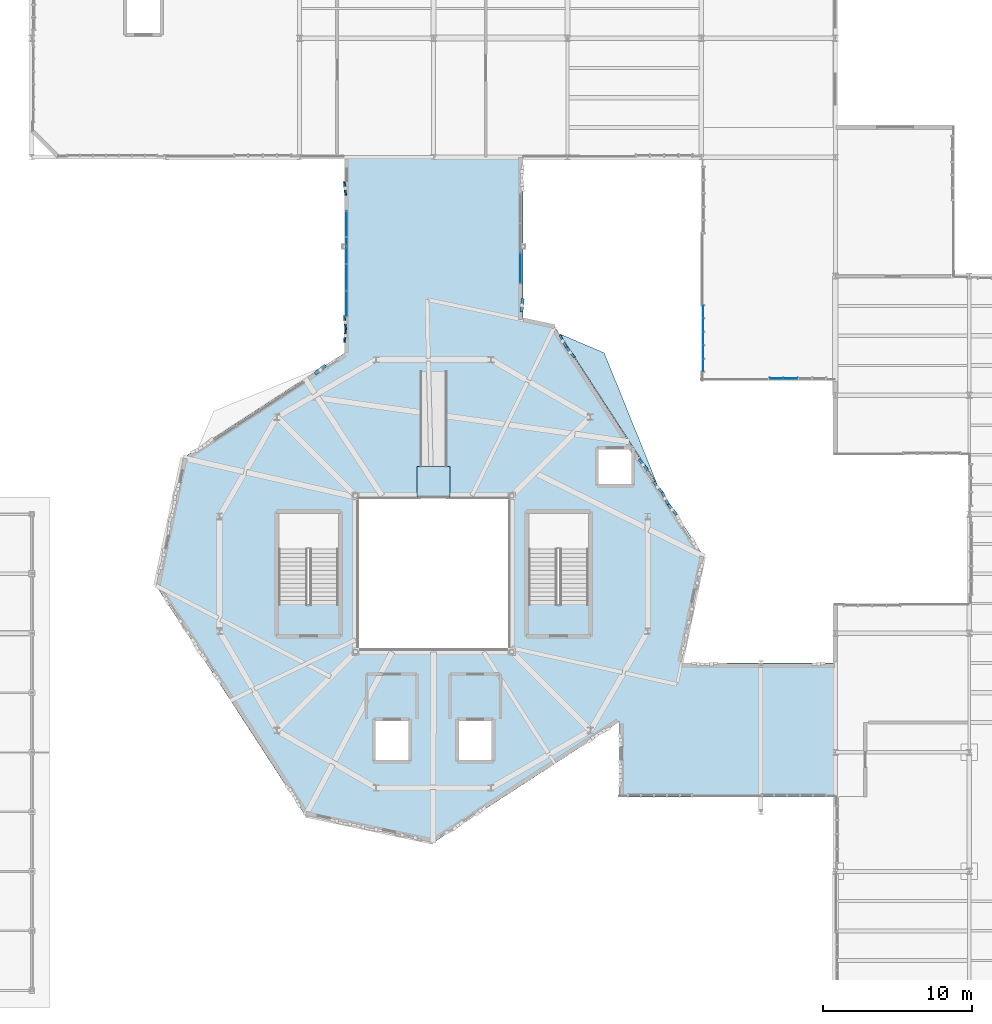
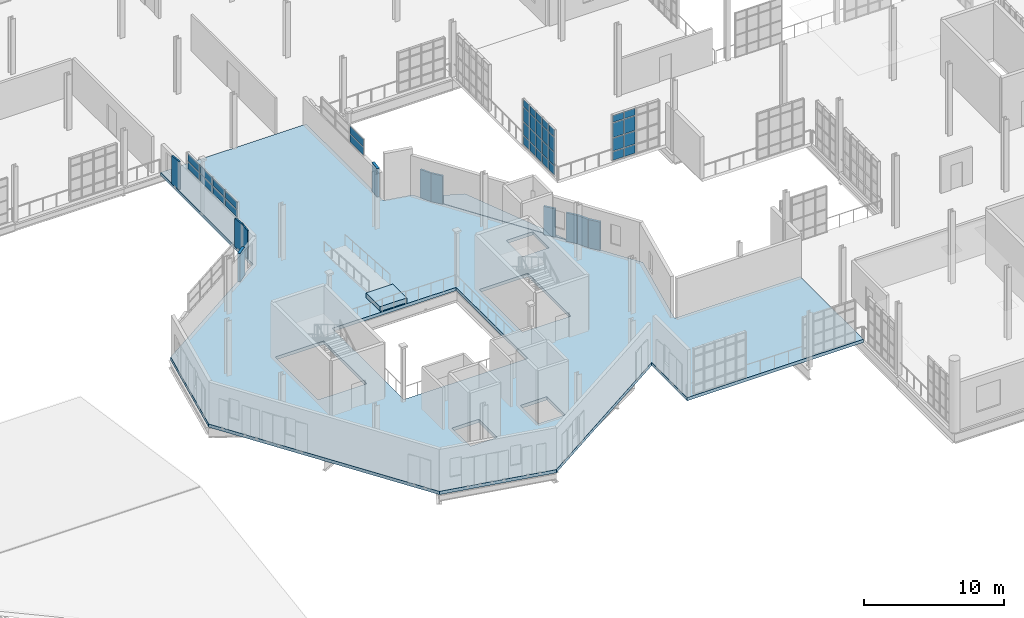
# One storey, part 92 of 118: 49 plates, 3 slabs, 4 elements without a shape of their own.
"""IFC4 building model written with IfcOpenShell, lengths in metres."""

import ifcopenshell
import ifcopenshell.guid

model = None  # the IFC model being written
_history = None  # IfcOwnerHistory: only IFC2X3 demands one
_inside = {}  # id of a spatial element -> (the spatial element, [elements in it])
_under = {}  # id of a project, library or spatial element -> (it, [spatial elements below it])
_declared = {}  # id of a project -> (the project, [libraries it declares])
_typed = {}  # id of a type object -> (the type object, [elements of that type])
_made_of = {}  # id of a material, layer set ... -> (it, [elements and type objects made of it])


def new_model(schema):
    """Start an empty IFC model of exactly this schema.

    Asked for "IFC4X3", IfcOpenShell would pick the latest addendum, in which some entities
    have other attributes; the version numbers below select the first issue.
    IFC2X3 requires an IfcOwnerHistory on every rooted entity: one is made here for all.
    """
    global model, _history
    if schema == "IFC4X3":
        model = ifcopenshell.file(schema_version=(4, 3, 0, 0))
    else:
        model = ifcopenshell.file(schema=schema)
    _inside.clear()
    _under.clear()
    _declared.clear()
    _typed.clear()
    _made_of.clear()
    _history = None
    if model.schema == "IFC2X3":
        org = make("IfcOrganization", Name="unknown")
        user = make(
            "IfcPersonAndOrganization",
            ThePerson=make("IfcPerson", FamilyName="unknown"),
            TheOrganization=org,
        )
        app = make(
            "IfcApplication",
            ApplicationDeveloper=org,
            Version="unknown",
            ApplicationFullName="unknown",
            ApplicationIdentifier="unknown",
        )
        _history = make(
            "IfcOwnerHistory",
            OwningUser=user,
            OwningApplication=app,
            ChangeAction="ADDED",
            CreationDate=0,
        )
    return model


def make(cls, **values):
    """One entity of the class cls with the attributes given. An attribute that is None is left unset."""
    return model.create_entity(
        cls, **{name: value for name, value in values.items() if value is not None}
    )


def rooted(cls, **values):
    """An entity with a GlobalId (a new one), such as an element, a storey or a relation."""
    return make(cls, GlobalId=ifcopenshell.guid.new(), OwnerHistory=_history, **values)


def si_unit(unit_type, name, prefix=None):
    """IfcSIUnit, for example si_unit("LENGTHUNIT", "METRE", prefix="MILLI")."""
    return make("IfcSIUnit", UnitType=unit_type, Prefix=prefix, Name=name)


def assignment(units):
    """IfcUnitAssignment: the units of a project."""
    return None if units is None else make("IfcUnitAssignment", Units=units)


def point(xyz):
    """IfcCartesianPoint."""
    return None if xyz is None else make("IfcCartesianPoint", Coordinates=xyz)


def direction(xyz):
    """IfcDirection."""
    return None if xyz is None else make("IfcDirection", DirectionRatios=xyz)


def frame(location, z_axis=None, x_axis=None):
    """IfcAxis2Placement3D, a coordinate frame: its origin and axes. An axis left out is left unset."""
    return make(
        "IfcAxis2Placement3D",
        Location=point(location),
        Axis=direction(z_axis),
        RefDirection=direction(x_axis),
    )


def frame_2d(location, x_axis=None):
    """IfcAxis2Placement2D, a coordinate frame in the plane: its origin and x axis."""
    return make(
        "IfcAxis2Placement2D", Location=point(location), RefDirection=direction(x_axis)
    )


def origin():
    """The frame at (0, 0, 0) with its axes left unset."""
    return frame((0.0, 0.0, 0.0))


def origin_2d():
    """The frame at (0, 0) in the plane with its x axis left unset."""
    return frame_2d((0.0, 0.0))


def place(relative_to, where):
    """IfcLocalPlacement: puts the frame where relative to a parent placement (None: the world)."""
    return make(
        "IfcLocalPlacement", PlacementRelTo=relative_to, RelativePlacement=where
    )


def context(
    kind, dimensions, precision=None, world=None, true_north=None, identifier=None
):
    """IfcGeometricRepresentationContext, for example the 3D "Model" context."""
    return make(
        "IfcGeometricRepresentationContext",
        ContextIdentifier=identifier,
        ContextType=kind,
        CoordinateSpaceDimension=dimensions,
        Precision=precision,
        WorldCoordinateSystem=world,
        TrueNorth=true_north,
    )


def subcontext(parent, identifier, kind, view, scale=None):
    """IfcGeometricRepresentationSubContext, for example "Body" below "Model"."""
    return make(
        "IfcGeometricRepresentationSubContext",
        ContextIdentifier=identifier,
        ContextType=kind,
        ParentContext=parent,
        TargetScale=scale,
        TargetView=view,
    )


def project(units=None, contexts=None):
    """IfcProject with its units and contexts."""
    return rooted(
        "IfcProject",
        Name="project",
        RepresentationContexts=contexts,
        UnitsInContext=assignment(units),
    )


def spatial(cls, under=None, at=None, **own):
    """A site, building, storey or space (cls), placed at a placement, below another one or the project."""
    s = rooted(cls, ObjectPlacement=at, **own)
    if under is not None:
        _under.setdefault(under.id(), (under, []))[1].append(s)
    return s


def polyline(points):
    """IfcPolyline through the points."""
    return make("IfcPolyline", Points=[point(p) for p in points])


def profile(cls, at=None, kind="AREA", **sizes):
    """A parametric profile (cls). Its sizes go by their IFC names, for example OverallWidth=200.0."""
    return make(cls, ProfileType=kind, Position=at, **sizes)


def rectangle(**sizes):
    """IfcRectangleProfileDef."""
    return profile("IfcRectangleProfileDef", **sizes)


def outline(outer, holes=None, kind="AREA"):
    """IfcArbitraryClosedProfileDef: a profile drawn as a closed curve; with holes, ...WithVoids."""
    if holes is None:
        return make("IfcArbitraryClosedProfileDef", ProfileType=kind, OuterCurve=outer)
    return make(
        "IfcArbitraryProfileDefWithVoids",
        ProfileType=kind,
        OuterCurve=outer,
        InnerCurves=holes,
    )


def extrude(swept, where, along, depth):
    """IfcExtrudedAreaSolid: the profile swept, set in the frame where, extruded along a direction by depth."""
    return make(
        "IfcExtrudedAreaSolid",
        SweptArea=swept,
        Position=where,
        ExtrudedDirection=direction(along),
        Depth=depth,
    )


def shape(context_of_items, identifier, shape_type, items):
    """IfcShapeRepresentation: the items that make up one representation, for example the "Body"."""
    return make(
        "IfcShapeRepresentation",
        ContextOfItems=context_of_items,
        RepresentationIdentifier=identifier,
        RepresentationType=shape_type,
        Items=items,
    )


def material(Name=None, Category=None):
    """IfcMaterial."""
    return make("IfcMaterial", Name=Name, Category=Category)


def layer(
    of_material, thickness, ventilated=None, Name=None, Category=None, Priority=None
):
    """IfcMaterialLayer: one layer of a wall or slab, of a material (None: an air gap)."""
    return make(
        "IfcMaterialLayer",
        Material=of_material,
        LayerThickness=thickness,
        IsVentilated=ventilated,
        Name=Name,
        Category=Category,
        Priority=Priority,
    )


def layer_set(layers, Name=None):
    """IfcMaterialLayerSet."""
    return make("IfcMaterialLayerSet", MaterialLayers=layers, LayerSetName=Name)


def made_of(thing, what):
    """Note that an element or type object is made of a material, layer set ...; save() writes the relation."""
    if what is not None:
        _made_of.setdefault(what.id(), (what, []))[1].append(thing)
    return thing


def type_object(cls, material=None, **own):
    """A type object (cls), such as IfcWallType, which elements share."""
    return made_of(rooted(cls, **own), material)


def element(
    cls,
    number,
    at=None,
    inside=None,
    cuts=None,
    type_object=None,
    material=None,
    context=None,
    identifier="Body",
    shape_type=None,
    held_by="IfcProductDefinitionShape",
    body=None,
    shapes=None,
    **own,
):
    """One element of the class cls, such as IfcWall. Its Tag is "e" and its number.

    at: its placement. inside: the storey or other place that contains it. cuts: it is an
    opening in that element (IfcRelVoidsElement). A single representation is given by context,
    identifier, shape_type and body (its items); several are given by shapes. held_by: the class
    of the entity that holds the representations. save() writes the other relations.
    """
    e = rooted(cls, Tag="e%d" % number, ObjectPlacement=at, **own)
    if body is not None:
        shapes = [shape(context, identifier, shape_type, body)]
    if shapes is not None:
        e.Representation = make(held_by, Representations=shapes)
    if inside is not None:
        _inside.setdefault(inside.id(), (inside, []))[1].append(e)
    if cuts is not None:
        rooted(
            "IfcRelVoidsElement", RelatingBuildingElement=cuts, RelatedOpeningElement=e
        )
    if type_object is not None:
        _typed.setdefault(type_object.id(), (type_object, []))[1].append(e)
    return made_of(e, material)


def aggregate(whole, parts):
    """IfcRelAggregates: a whole, such as a stair, and the parts it consists of."""
    return rooted("IfcRelAggregates", RelatingObject=whole, RelatedObjects=parts)


def save(model, path):
    """Write the relations noted so far, then the file.

    IfcRelAggregates (storeys below a building ...), IfcRelContainedInSpatialStructure (elements
    in a storey), IfcRelDefinesByType, IfcRelAssociatesMaterial and IfcRelDeclares: one each for
    every whole, place, type object, material and project.
    """
    for whole, parts in _under.values():
        aggregate(whole, parts)
    for where, things in _inside.values():
        rooted(
            "IfcRelContainedInSpatialStructure",
            RelatedElements=things,
            RelatingStructure=where,
        )
    for kind, things in _typed.values():
        rooted("IfcRelDefinesByType", RelatedObjects=things, RelatingType=kind)
    for what, things in _made_of.values():
        rooted("IfcRelAssociatesMaterial", RelatedObjects=things, RelatingMaterial=what)
    for by, libraries in _declared.values():
        rooted("IfcRelDeclares", RelatingContext=by, RelatedDefinitions=libraries)
    model.write(path)


model = new_model("IFC4")

# Units and contexts
model_context = context("Model", 3, precision=1e-05, world=origin(), true_north=direction((0.0, 1.0)))
body_context = subcontext(model_context, "Body", "Model", "MODEL_VIEW")
ifc_project = project(units=[si_unit("LENGTHUNIT", "METRE"), si_unit("AREAUNIT", "SQUARE_METRE"), si_unit("VOLUMEUNIT", "CUBIC_METRE"), si_unit("PLANEANGLEUNIT", "RADIAN"), si_unit("MASSUNIT", "GRAM", prefix="KILO"), si_unit("THERMODYNAMICTEMPERATUREUNIT", "KELVIN"), si_unit("POWERUNIT", "WATT")], contexts=[model_context])

# Site, building, storey
site_placement = place(None, origin())
site = spatial("IfcSite", under=ifc_project, at=site_placement, CompositionType="ELEMENT")
building_placement = place(site_placement, origin())
building = spatial("IfcBuilding", under=site, at=building_placement, Name="Zelmaris Science Centre", CompositionType="ELEMENT")
storey_placement = place(building_placement, frame((0.0, 0.0, 15.60009765625)))
storey = spatial("IfcBuildingStorey", under=building, at=storey_placement, Name="L03", CompositionType="ELEMENT", Elevation=15.60009765625)

# Curtain wall, plates
ifc_material_1 = material(Name="Anodised architectural aluminium 6063-T6", Category="aluminium")
ifc_layer_1 = layer(ifc_material_1, 0.18994140625, Name="Anodised architectural aluminium 6063-T6")
ifc_layer_set_1 = layer_set([ifc_layer_1], Name="Anodised architectural aluminium 6063-T6")
curtain_wall_type_1 = type_object("IfcCurtainWallType", Name="Curtain Wall CW-01", PredefinedType="USERDEFINED", material=ifc_layer_set_1)
curtain_wall_1_placement = place(storey_placement, origin())
curtain_wall_1 = element("IfcCurtainWall", 1, at=curtain_wall_1_placement, inside=storey, type_object=curtain_wall_type_1, Name="L03 Clerestory curtain wall 317", ObjectType="GLAZED CURTAIN WALL", PredefinedType="USERDEFINED")
ifc_material_2 = material(Name="Laminated hurricane-rated low-E insulated glazing", Category="glass")
ifc_layer_2 = layer(ifc_material_2, 0.031982421875, Name="Laminated hurricane-rated low-E insulated glazing")
ifc_layer_set_2 = layer_set([ifc_layer_2], Name="Laminated hurricane-rated low-E insulated glazing")
plate_type_1 = type_object("IfcPlateType", Name="Curtain Glazing Panel CWP-1 32mm", PredefinedType="CURTAIN_PANEL", material=ifc_layer_set_2)
plate_1_placement = place(storey_placement, frame((75.1552734375, 54.156982421875, 2.491943359375), z_axis=(0.0, 0.0, 1.0), x_axis=(9.216106e-06, 0.999999999958, 0.0)))
plate_1 = element("IfcPlate", 2, at=plate_1_placement, type_object=plate_type_1, Name="CW-01 panel 1.1", PredefinedType="CURTAIN_PANEL", context=body_context, shape_type="SweptSolid", body=[
    extrude(rectangle(XDim=1.69189453125, YDim=0.031982421875, at=origin_2d()), origin(), (0.0, 0.0, 1.0), 0.62744140625),
])
plate_2_placement = place(storey_placement, frame((75.1552734375, 54.156982421875, 3.19140625), z_axis=(0.0, 0.0, 1.0), x_axis=(9.216106e-06, 0.999999999958, 0.0)))
plate_2 = element("IfcPlate", 3, at=plate_2_placement, type_object=plate_type_1, Name="CW-01 panel 1.2", PredefinedType="CURTAIN_PANEL", context=body_context, shape_type="SweptSolid", body=[
    extrude(rectangle(XDim=1.69189453125, YDim=0.031982421875, at=origin_2d()), origin(), (0.0, 0.0, 1.0), 0.62744140625),
])
plate_3_placement = place(storey_placement, frame((75.1552734375, 55.939208984375, 2.491943359375), z_axis=(0.0, 0.0, 1.0), x_axis=(9.216106e-06, 0.999999999958, 0.0)))
plate_3 = element("IfcPlate", 4, at=plate_3_placement, type_object=plate_type_1, Name="CW-01 panel 2.1", PredefinedType="CURTAIN_PANEL", context=body_context, shape_type="SweptSolid", body=[
    extrude(rectangle(XDim=1.72802734375, YDim=0.031982421875, at=origin_2d()), origin(), (0.0, 0.0, 1.0), 0.62744140625),
])
plate_4_placement = place(storey_placement, frame((75.1552734375, 55.939208984375, 3.19140625), z_axis=(0.0, 0.0, 1.0), x_axis=(9.216106e-06, 0.999999999958, 0.0)))
plate_4 = element("IfcPlate", 5, at=plate_4_placement, type_object=plate_type_1, Name="CW-01 panel 2.2", PredefinedType="CURTAIN_PANEL", context=body_context, shape_type="SweptSolid", body=[
    extrude(rectangle(XDim=1.72802734375, YDim=0.031982421875, at=origin_2d()), origin(), (0.0, 0.0, 1.0), 0.62744140625),
])
plate_5_placement = place(storey_placement, frame((75.1552734375, 57.739013671875, 2.491943359375), z_axis=(0.0, 0.0, 1.0), x_axis=(9.216106e-06, 0.999999999958, 0.0)))
plate_5 = element("IfcPlate", 6, at=plate_5_placement, type_object=plate_type_1, Name="CW-01 panel 3.1", PredefinedType="CURTAIN_PANEL", context=body_context, shape_type="SweptSolid", body=[
    extrude(rectangle(XDim=1.72802734375, YDim=0.031982421875, at=origin_2d()), origin(), (0.0, 0.0, 1.0), 0.62744140625),
])
plate_6_placement = place(storey_placement, frame((75.1552734375, 57.739013671875, 3.19140625), z_axis=(0.0, 0.0, 1.0), x_axis=(9.216106e-06, 0.999999999958, 0.0)))
plate_6 = element("IfcPlate", 7, at=plate_6_placement, type_object=plate_type_1, Name="CW-01 panel 3.2", PredefinedType="CURTAIN_PANEL", context=body_context, shape_type="SweptSolid", body=[
    extrude(rectangle(XDim=1.72802734375, YDim=0.031982421875, at=origin_2d()), origin(), (0.0, 0.0, 1.0), 0.62744140625),
])
plate_7_placement = place(storey_placement, frame((75.1552734375, 59.52099609375, 2.491943359375), z_axis=(0.0, 0.0, 1.0), x_axis=(9.216106e-06, 0.999999999958, 0.0)))
plate_7 = element("IfcPlate", 8, at=plate_7_placement, type_object=plate_type_1, Name="CW-01 panel 4.1", PredefinedType="CURTAIN_PANEL", context=body_context, shape_type="SweptSolid", body=[
    extrude(rectangle(XDim=1.69189453125, YDim=0.031982421875, at=origin_2d()), origin(), (0.0, 0.0, 1.0), 0.62744140625),
])
plate_8_placement = place(storey_placement, frame((75.1552734375, 59.52099609375, 3.19140625), z_axis=(0.0, 0.0, 1.0), x_axis=(9.216106e-06, 0.999999999958, 0.0)))
plate_8 = element("IfcPlate", 9, at=plate_8_placement, type_object=plate_type_1, Name="CW-01 panel 4.2", PredefinedType="CURTAIN_PANEL", context=body_context, shape_type="SweptSolid", body=[
    extrude(rectangle(XDim=1.69189453125, YDim=0.031982421875, at=origin_2d()), origin(), (0.0, 0.0, 1.0), 0.62744140625),
])
aggregate(curtain_wall_1, [plate_1, plate_2, plate_3, plate_4, plate_5, plate_6, plate_7, plate_8])

curtain_wall_2_placement = place(storey_placement, origin())
curtain_wall_2 = element("IfcCurtainWall", 10, at=curtain_wall_2_placement, inside=storey, type_object=curtain_wall_type_1, Name="L03 Unitised curtain wall 329", ObjectType="GLAZED CURTAIN WALL", PredefinedType="USERDEFINED")
plate_9_placement = place(storey_placement, frame((104.9931640625, 49.118408203125, 0.05712890625), z_axis=(0.0, 0.0, 1.0), x_axis=(-0.999999959785, 0.00028360017, 0.0)))
plate_9 = element("IfcPlate", 11, at=plate_9_placement, type_object=plate_type_1, Name="CW-01 panel 3.1", PredefinedType="CURTAIN_PANEL", context=body_context, shape_type="SweptSolid", body=[
    extrude(rectangle(XDim=0.897705078125, YDim=0.031982421875, at=origin_2d()), origin(), (0.0, 0.0, 1.0), 0.741943359375),
])
plate_10_placement = place(storey_placement, frame((104.9931640625, 49.118408203125, 0.870849609375), z_axis=(0.0, 0.0, 1.0), x_axis=(-0.999999959785, 0.00028360017, 0.0)))
plate_10 = element("IfcPlate", 12, at=plate_10_placement, type_object=plate_type_1, Name="CW-01 panel 3.2", PredefinedType="CURTAIN_PANEL", context=body_context, shape_type="SweptSolid", body=[
    extrude(rectangle(XDim=0.897705078125, YDim=0.031982421875, at=origin_2d()), origin(), (0.0, 0.0, 1.0), 1.1005859375),
])
plate_11_placement = place(storey_placement, frame((104.9931640625, 49.118408203125, 2.04345703125), z_axis=(0.0, 0.0, 1.0), x_axis=(-0.999999959785, 0.00028360017, 0.0)))
plate_11 = element("IfcPlate", 13, at=plate_11_placement, type_object=plate_type_1, Name="CW-01 panel 3.3", PredefinedType="CURTAIN_PANEL", context=body_context, shape_type="SweptSolid", body=[
    extrude(rectangle(XDim=0.897705078125, YDim=0.031982421875, at=origin_2d()), origin(), (0.0, 0.0, 1.0), 1.25048828125),
])
plate_12_placement = place(storey_placement, frame((104.9931640625, 49.118408203125, 3.36572265625), z_axis=(0.0, 0.0, 1.0), x_axis=(-0.999999959785, 0.00028360017, 0.0)))
plate_12 = element("IfcPlate", 14, at=plate_12_placement, type_object=plate_type_1, Name="CW-01 panel 3.4", PredefinedType="CURTAIN_PANEL", context=body_context, shape_type="SweptSolid", body=[
    extrude(rectangle(XDim=0.897705078125, YDim=0.031982421875, at=origin_2d()), origin(), (0.0, 0.0, 1.0), 0.592041015625),
])
plate_13_placement = place(storey_placement, frame((104.04150390625, 49.11865234375, 0.05712890625), z_axis=(0.0, 0.0, 1.0), x_axis=(-0.999999959785, 0.00028360017, 0.0)))
plate_13 = element("IfcPlate", 15, at=plate_13_placement, type_object=plate_type_1, Name="CW-01 panel 4.1", PredefinedType="CURTAIN_PANEL", context=body_context, shape_type="SweptSolid", body=[
    extrude(rectangle(XDim=0.861572265625, YDim=0.031982421875, at=origin_2d()), origin(), (0.0, 0.0, 1.0), 0.741943359375),
])
plate_14_placement = place(storey_placement, frame((104.04150390625, 49.11865234375, 0.870849609375), z_axis=(0.0, 0.0, 1.0), x_axis=(-0.999999959785, 0.00028360017, 0.0)))
plate_14 = element("IfcPlate", 16, at=plate_14_placement, type_object=plate_type_1, Name="CW-01 panel 4.2", PredefinedType="CURTAIN_PANEL", context=body_context, shape_type="SweptSolid", body=[
    extrude(rectangle(XDim=0.861572265625, YDim=0.031982421875, at=origin_2d()), origin(), (0.0, 0.0, 1.0), 1.1005859375),
])
plate_15_placement = place(storey_placement, frame((104.04150390625, 49.11865234375, 2.04345703125), z_axis=(0.0, 0.0, 1.0), x_axis=(-0.999999959785, 0.00028360017, 0.0)))
plate_15 = element("IfcPlate", 17, at=plate_15_placement, type_object=plate_type_1, Name="CW-01 panel 4.3", PredefinedType="CURTAIN_PANEL", context=body_context, shape_type="SweptSolid", body=[
    extrude(rectangle(XDim=0.861572265625, YDim=0.031982421875, at=origin_2d()), origin(), (0.0, 0.0, 1.0), 1.25048828125),
])
plate_16_placement = place(storey_placement, frame((104.04150390625, 49.11865234375, 3.36572265625), z_axis=(0.0, 0.0, 1.0), x_axis=(-0.999999959785, 0.00028360017, 0.0)))
plate_16 = element("IfcPlate", 18, at=plate_16_placement, type_object=plate_type_1, Name="CW-01 panel 4.4", PredefinedType="CURTAIN_PANEL", context=body_context, shape_type="SweptSolid", body=[
    extrude(rectangle(XDim=0.861572265625, YDim=0.031982421875, at=origin_2d()), origin(), (0.0, 0.0, 1.0), 0.592041015625),
])
aggregate(curtain_wall_2, [plate_9, plate_10, plate_11, plate_12, plate_13, plate_14, plate_15, plate_16])

ifc_layer_3 = layer(ifc_material_1, 0.2099609375, Name="Anodised architectural aluminium 6063-T6")
ifc_layer_set_3 = layer_set([ifc_layer_3], Name="Anodised architectural aluminium 6063-T6")
curtain_wall_type_2 = type_object("IfcCurtainWallType", Name="Curtain Wall CW-03", PredefinedType="USERDEFINED", material=ifc_layer_set_3)
curtain_wall_3_placement = place(storey_placement, origin())
curtain_wall_3 = element("IfcCurtainWall", 19, at=curtain_wall_3_placement, inside=storey, type_object=curtain_wall_type_2, Name="L03 Unitised curtain wall 331", ObjectType="GLAZED CURTAIN WALL", PredefinedType="USERDEFINED")
ifc_layer_4 = layer(ifc_material_2, 0.02587890625, Name="Laminated hurricane-rated low-E insulated glazing")
ifc_layer_set_4 = layer_set([ifc_layer_4], Name="Laminated hurricane-rated low-E insulated glazing")
plate_type_2 = type_object("IfcPlateType", Name="Curtain Glazing Panel CWP-3 26mm", PredefinedType="CURTAIN_PANEL", material=ifc_layer_set_4)
plate_17_placement = place(storey_placement, frame((99.1201171875, 50.00830078125, 0.0419921875), z_axis=(0.0, 0.0, 1.0), x_axis=(-2.202691e-05, 0.999999999757, 0.0)))
plate_17 = element("IfcPlate", 20, at=plate_17_placement, type_object=plate_type_2, Name="CW-03 panel 1.1", PredefinedType="CURTAIN_PANEL", context=body_context, shape_type="SweptSolid", body=[
    extrude(rectangle(XDim=0.822509765625, YDim=0.02587890625, at=origin_2d()), origin(), (0.0, 0.0, 1.0), 0.764404296875),
])
plate_18_placement = place(storey_placement, frame((99.1201171875, 50.00830078125, 0.86328125), z_axis=(0.0, 0.0, 1.0), x_axis=(-2.202691e-05, 0.999999999757, 0.0)))
plate_18 = element("IfcPlate", 21, at=plate_18_placement, type_object=plate_type_2, Name="CW-03 panel 1.2", PredefinedType="CURTAIN_PANEL", context=body_context, shape_type="SweptSolid", body=[
    extrude(rectangle(XDim=0.822509765625, YDim=0.02587890625, at=origin_2d()), origin(), (0.0, 0.0, 1.0), 1.115478515625),
])
plate_19_placement = place(storey_placement, frame((99.1201171875, 50.00830078125, 2.0361328125), z_axis=(0.0, 0.0, 1.0), x_axis=(-2.202691e-05, 0.999999999757, 0.0)))
plate_19 = element("IfcPlate", 22, at=plate_19_placement, type_object=plate_type_2, Name="CW-03 panel 1.3", PredefinedType="CURTAIN_PANEL", context=body_context, shape_type="SweptSolid", body=[
    extrude(rectangle(XDim=0.822509765625, YDim=0.02587890625, at=origin_2d()), origin(), (0.0, 0.0, 1.0), 1.265380859375),
])
plate_20_placement = place(storey_placement, frame((99.1201171875, 50.00830078125, 3.3583984375), z_axis=(0.0, 0.0, 1.0), x_axis=(-2.202691e-05, 0.999999999757, 0.0)))
plate_20 = element("IfcPlate", 23, at=plate_20_placement, type_object=plate_type_2, Name="CW-03 panel 1.4", PredefinedType="CURTAIN_PANEL", context=body_context, shape_type="SweptSolid", body=[
    extrude(rectangle(XDim=0.822509765625, YDim=0.02587890625, at=origin_2d()), origin(), (0.0, 0.0, 1.0), 0.614501953125),
])
plate_21_placement = place(storey_placement, frame((99.1201171875, 50.902099609375, 0.0419921875), z_axis=(0.0, 0.0, 1.0), x_axis=(-2.202691e-05, 0.999999999757, 0.0)))
plate_21 = element("IfcPlate", 24, at=plate_21_placement, type_object=plate_type_2, Name="CW-03 panel 2.1", PredefinedType="CURTAIN_PANEL", context=body_context, shape_type="SweptSolid", body=[
    extrude(rectangle(XDim=0.85107421875, YDim=0.02587890625, at=origin_2d()), origin(), (0.0, 0.0, 1.0), 0.764404296875),
])
plate_22_placement = place(storey_placement, frame((99.1201171875, 50.902099609375, 0.86328125), z_axis=(0.0, 0.0, 1.0), x_axis=(-2.202691e-05, 0.999999999757, 0.0)))
plate_22 = element("IfcPlate", 25, at=plate_22_placement, type_object=plate_type_2, Name="CW-03 panel 2.2", PredefinedType="CURTAIN_PANEL", context=body_context, shape_type="SweptSolid", body=[
    extrude(rectangle(XDim=0.85107421875, YDim=0.02587890625, at=origin_2d()), origin(), (0.0, 0.0, 1.0), 1.115478515625),
])
plate_23_placement = place(storey_placement, frame((99.1201171875, 50.902099609375, 2.0361328125), z_axis=(0.0, 0.0, 1.0), x_axis=(-2.202691e-05, 0.999999999757, 0.0)))
plate_23 = element("IfcPlate", 26, at=plate_23_placement, type_object=plate_type_2, Name="CW-03 panel 2.3", PredefinedType="CURTAIN_PANEL", context=body_context, shape_type="SweptSolid", body=[
    extrude(rectangle(XDim=0.85107421875, YDim=0.02587890625, at=origin_2d()), origin(), (0.0, 0.0, 1.0), 1.265380859375),
])
plate_24_placement = place(storey_placement, frame((99.1201171875, 50.902099609375, 3.3583984375), z_axis=(0.0, 0.0, 1.0), x_axis=(-2.202691e-05, 0.999999999757, 0.0)))
plate_24 = element("IfcPlate", 27, at=plate_24_placement, type_object=plate_type_2, Name="CW-03 panel 2.4", PredefinedType="CURTAIN_PANEL", context=body_context, shape_type="SweptSolid", body=[
    extrude(rectangle(XDim=0.85107421875, YDim=0.02587890625, at=origin_2d()), origin(), (0.0, 0.0, 1.0), 0.614501953125),
])
plate_25_placement = place(storey_placement, frame((99.1201171875, 51.81005859375, 0.0419921875), z_axis=(0.0, 0.0, 1.0), x_axis=(-2.202691e-05, 0.999999999757, 0.0)))
plate_25 = element("IfcPlate", 28, at=plate_25_placement, type_object=plate_type_2, Name="CW-03 panel 3.1", PredefinedType="CURTAIN_PANEL", context=body_context, shape_type="SweptSolid", body=[
    extrude(rectangle(XDim=0.85107421875, YDim=0.02587890625, at=origin_2d()), origin(), (0.0, 0.0, 1.0), 0.764404296875),
])
plate_26_placement = place(storey_placement, frame((99.1201171875, 51.81005859375, 0.86328125), z_axis=(0.0, 0.0, 1.0), x_axis=(-2.202691e-05, 0.999999999757, 0.0)))
plate_26 = element("IfcPlate", 29, at=plate_26_placement, type_object=plate_type_2, Name="CW-03 panel 3.2", PredefinedType="CURTAIN_PANEL", context=body_context, shape_type="SweptSolid", body=[
    extrude(rectangle(XDim=0.85107421875, YDim=0.02587890625, at=origin_2d()), origin(), (0.0, 0.0, 1.0), 1.115478515625),
])
plate_27_placement = place(storey_placement, frame((99.1201171875, 51.81005859375, 2.0361328125), z_axis=(0.0, 0.0, 1.0), x_axis=(-2.202691e-05, 0.999999999757, 0.0)))
plate_27 = element("IfcPlate", 30, at=plate_27_placement, type_object=plate_type_2, Name="CW-03 panel 3.3", PredefinedType="CURTAIN_PANEL", context=body_context, shape_type="SweptSolid", body=[
    extrude(rectangle(XDim=0.85107421875, YDim=0.02587890625, at=origin_2d()), origin(), (0.0, 0.0, 1.0), 1.265380859375),
])
plate_28_placement = place(storey_placement, frame((99.1201171875, 51.81005859375, 3.3583984375), z_axis=(0.0, 0.0, 1.0), x_axis=(-2.202691e-05, 0.999999999757, 0.0)))
plate_28 = element("IfcPlate", 31, at=plate_28_placement, type_object=plate_type_2, Name="CW-03 panel 3.4", PredefinedType="CURTAIN_PANEL", context=body_context, shape_type="SweptSolid", body=[
    extrude(rectangle(XDim=0.85107421875, YDim=0.02587890625, at=origin_2d()), origin(), (0.0, 0.0, 1.0), 0.614501953125),
])
plate_29_placement = place(storey_placement, frame((99.1201171875, 52.718017578125, 0.0419921875), z_axis=(0.0, 0.0, 1.0), x_axis=(-2.202691e-05, 0.999999999757, 0.0)))
plate_29 = element("IfcPlate", 32, at=plate_29_placement, type_object=plate_type_2, Name="CW-03 panel 4.1", PredefinedType="CURTAIN_PANEL", context=body_context, shape_type="SweptSolid", body=[
    extrude(rectangle(XDim=0.85107421875, YDim=0.02587890625, at=origin_2d()), origin(), (0.0, 0.0, 1.0), 0.764404296875),
])
plate_30_placement = place(storey_placement, frame((99.1201171875, 52.718017578125, 0.86328125), z_axis=(0.0, 0.0, 1.0), x_axis=(-2.202691e-05, 0.999999999757, 0.0)))
plate_30 = element("IfcPlate", 33, at=plate_30_placement, type_object=plate_type_2, Name="CW-03 panel 4.2", PredefinedType="CURTAIN_PANEL", context=body_context, shape_type="SweptSolid", body=[
    extrude(rectangle(XDim=0.85107421875, YDim=0.02587890625, at=origin_2d()), origin(), (0.0, 0.0, 1.0), 1.115478515625),
])
plate_31_placement = place(storey_placement, frame((99.1201171875, 52.718017578125, 2.0361328125), z_axis=(0.0, 0.0, 1.0), x_axis=(-2.202691e-05, 0.999999999757, 0.0)))
plate_31 = element("IfcPlate", 34, at=plate_31_placement, type_object=plate_type_2, Name="CW-03 panel 4.3", PredefinedType="CURTAIN_PANEL", context=body_context, shape_type="SweptSolid", body=[
    extrude(rectangle(XDim=0.85107421875, YDim=0.02587890625, at=origin_2d()), origin(), (0.0, 0.0, 1.0), 1.265380859375),
])
plate_32_placement = place(storey_placement, frame((99.1201171875, 52.718017578125, 3.3583984375), z_axis=(0.0, 0.0, 1.0), x_axis=(-2.202691e-05, 0.999999999757, 0.0)))
plate_32 = element("IfcPlate", 35, at=plate_32_placement, type_object=plate_type_2, Name="CW-03 panel 4.4", PredefinedType="CURTAIN_PANEL", context=body_context, shape_type="SweptSolid", body=[
    extrude(rectangle(XDim=0.85107421875, YDim=0.02587890625, at=origin_2d()), origin(), (0.0, 0.0, 1.0), 0.614501953125),
])
plate_33_placement = place(storey_placement, frame((99.1201171875, 53.61181640625, 0.0419921875), z_axis=(0.0, 0.0, 1.0), x_axis=(-2.202691e-05, 0.999999999757, 0.0)))
plate_33 = element("IfcPlate", 36, at=plate_33_placement, type_object=plate_type_2, Name="CW-03 panel 5.1", PredefinedType="CURTAIN_PANEL", context=body_context, shape_type="SweptSolid", body=[
    extrude(rectangle(XDim=0.822509765625, YDim=0.02587890625, at=origin_2d()), origin(), (0.0, 0.0, 1.0), 0.764404296875),
])
plate_34_placement = place(storey_placement, frame((99.1201171875, 53.61181640625, 0.86328125), z_axis=(0.0, 0.0, 1.0), x_axis=(-2.202691e-05, 0.999999999757, 0.0)))
plate_34 = element("IfcPlate", 37, at=plate_34_placement, type_object=plate_type_2, Name="CW-03 panel 5.2", PredefinedType="CURTAIN_PANEL", context=body_context, shape_type="SweptSolid", body=[
    extrude(rectangle(XDim=0.822509765625, YDim=0.02587890625, at=origin_2d()), origin(), (0.0, 0.0, 1.0), 1.115478515625),
])
plate_35_placement = place(storey_placement, frame((99.1201171875, 53.61181640625, 2.0361328125), z_axis=(0.0, 0.0, 1.0), x_axis=(-2.202691e-05, 0.999999999757, 0.0)))
plate_35 = element("IfcPlate", 38, at=plate_35_placement, type_object=plate_type_2, Name="CW-03 panel 5.3", PredefinedType="CURTAIN_PANEL", context=body_context, shape_type="SweptSolid", body=[
    extrude(rectangle(XDim=0.822509765625, YDim=0.02587890625, at=origin_2d()), origin(), (0.0, 0.0, 1.0), 1.265380859375),
])
plate_36_placement = place(storey_placement, frame((99.1201171875, 53.61181640625, 3.3583984375), z_axis=(0.0, 0.0, 1.0), x_axis=(-2.202691e-05, 0.999999999757, 0.0)))
plate_36 = element("IfcPlate", 39, at=plate_36_placement, type_object=plate_type_2, Name="CW-03 panel 5.4", PredefinedType="CURTAIN_PANEL", context=body_context, shape_type="SweptSolid", body=[
    extrude(rectangle(XDim=0.822509765625, YDim=0.02587890625, at=origin_2d()), origin(), (0.0, 0.0, 1.0), 0.614501953125),
])
aggregate(curtain_wall_3, [plate_17, plate_18, plate_19, plate_20, plate_21, plate_22, plate_23, plate_24, plate_25, plate_26, plate_27, plate_28, plate_29, plate_30, plate_31, plate_32, plate_33, plate_34, plate_35, plate_36])

ifc_layer_5 = layer(ifc_material_1, 0.219970703125, Name="Anodised architectural aluminium 6063-T6")
ifc_layer_set_5 = layer_set([ifc_layer_5], Name="Anodised architectural aluminium 6063-T6")
curtain_wall_type_3 = type_object("IfcCurtainWallType", Name="Curtain Wall CW-04", PredefinedType="USERDEFINED", material=ifc_layer_set_5)
curtain_wall_4_placement = place(storey_placement, origin())
curtain_wall_4 = element("IfcCurtainWall", 40, at=curtain_wall_4_placement, inside=storey, type_object=curtain_wall_type_3, Name="L03 Clerestory curtain wall 336", ObjectType="GLAZED CURTAIN WALL", PredefinedType="USERDEFINED")
ifc_layer_6 = layer(ifc_material_2, 0.02392578125, Name="Laminated hurricane-rated low-E insulated glazing")
ifc_layer_set_6 = layer_set([ifc_layer_6], Name="Laminated hurricane-rated low-E insulated glazing")
plate_type_3 = type_object("IfcPlateType", Name="Curtain Glazing Panel CWP-4 24mm", PredefinedType="CURTAIN_PANEL", material=ifc_layer_set_6)
plate_37_placement = place(storey_placement, frame((86.844970703125, 56.529052734375, 2.47216796875), z_axis=(0.0, 0.0, 1.0), x_axis=(-0.001148401071, -0.999999340587, 0.0)))
plate_37 = element("IfcPlate", 41, at=plate_37_placement, type_object=plate_type_3, Name="CW-04 panel 3.1", PredefinedType="CURTAIN_PANEL", context=body_context, shape_type="SweptSolid", body=[
    extrude(rectangle(XDim=1.94677734375, YDim=0.02392578125, at=origin_2d()), origin(), (0.0, 0.0, 1.0), 0.660400390625),
])
plate_38_placement = place(storey_placement, frame((86.844970703125, 56.529052734375, 3.1845703125), z_axis=(0.0, 0.0, 1.0), x_axis=(-0.001148401071, -0.999999340587, 0.0)))
plate_38 = element("IfcPlate", 42, at=plate_38_placement, type_object=plate_type_3, Name="CW-04 panel 3.2", PredefinedType="CURTAIN_PANEL", context=body_context, shape_type="SweptSolid", body=[
    extrude(rectangle(XDim=1.94677734375, YDim=0.02392578125, at=origin_2d()), origin(), (0.0, 0.0, 1.0), 0.660400390625),
])
aggregate(curtain_wall_4, [plate_37, plate_38])

# Plates
ifc_material_3 = material(Name="Precast concrete C40/50", Category="concrete")
ifc_layer_7 = layer(ifc_material_3, 0.110107421875, Name="Precast concrete C40/50")
ifc_layer_set_7 = layer_set([ifc_layer_7], Name="Precast concrete C40/50")
plate_type_4 = type_object("IfcPlateType", Name="Precast Facet Panel FP-01 110mm", PredefinedType="SHEET", material=ifc_layer_set_7)
plate_39_placement = place(storey_placement, frame((75.003662109375, 51.551025390625, 0.02001953125), z_axis=(0.0, 0.0, 1.0), x_axis=(0.101213852315, 0.994864692357, 0.0)))
element("IfcPlate", 43, at=plate_39_placement, inside=storey, type_object=plate_type_4, Name="L03 Folded precast facet panel 144", PredefinedType="SHEET", context=body_context, shape_type="SweptSolid", body=[
    extrude(rectangle(XDim=0.904541015625, YDim=0.110107421875, at=frame_2d((0.4521484375, 0.0))), origin(), (0.0, 0.0, 1.0), 2.4599609375),
])
ifc_layer_8 = layer(ifc_material_3, 0.1201171875, Name="Precast concrete C40/50")
ifc_layer_set_8 = layer_set([ifc_layer_8], Name="Precast concrete C40/50")
plate_type_5 = type_object("IfcPlateType", Name="Precast Facet Panel FP-02 120mm", PredefinedType="SHEET", material=ifc_layer_set_8)
plate_40_placement = place(storey_placement, frame((75.09521484375, 52.450927734375, 0.02001953125), z_axis=(0.0, 0.0, 1.0), x_axis=(-0.101186681876, 0.994867456203, 0.0)))
element("IfcPlate", 44, at=plate_40_placement, inside=storey, type_object=plate_type_5, Name="L03 Folded precast facet panel 145", PredefinedType="SHEET", context=body_context, shape_type="SweptSolid", body=[
    extrude(rectangle(XDim=0.90478515625, YDim=0.1201171875, at=frame_2d((0.452392578125, 0.0))), origin(), (0.0, 0.0, 1.0), 2.4599609375),
])
ifc_layer_9 = layer(ifc_material_3, 0.1298828125, Name="Precast concrete C40/50")
ifc_layer_set_9 = layer_set([ifc_layer_9], Name="Precast concrete C40/50")
plate_type_6 = type_object("IfcPlateType", Name="Precast Facet Panel FP-03 130mm", PredefinedType="SHEET", material=ifc_layer_set_9)
plate_41_placement = place(storey_placement, frame((75.095458984375, 61.450927734375, 0.02001953125), z_axis=(0.0, 0.0, 1.0), x_axis=(-0.101186681876, 0.994867456203, 0.0)))
element("IfcPlate", 45, at=plate_41_placement, inside=storey, type_object=plate_type_6, Name="L03 Folded precast facet panel 146", PredefinedType="SHEET", context=body_context, shape_type="SweptSolid", body=[
    extrude(rectangle(XDim=0.90478515625, YDim=0.1298828125, at=frame_2d((0.452392578125, 0.0))), origin(), (0.0, 0.0, 1.0), 2.4599609375),
])
ifc_layer_10 = layer(ifc_material_3, 0.139892578125, Name="Precast concrete C40/50")
ifc_layer_set_10 = layer_set([ifc_layer_10], Name="Precast concrete C40/50")
plate_type_7 = type_object("IfcPlateType", Name="Precast Facet Panel FP-04 140mm", PredefinedType="SHEET", material=ifc_layer_set_10)
plate_42_placement = place(storey_placement, frame((89.4912109375, 52.04296875, 0.02001953125), z_axis=(0.0, 0.0, 1.0), x_axis=(0.45711630377, -0.889406928705, 0.0)))
element("IfcPlate", 46, at=plate_42_placement, inside=storey, type_object=plate_type_7, Name="L03 Folded precast facet panel 147", PredefinedType="SHEET", context=body_context, shape_type="SweptSolid", body=[
    extrude(rectangle(XDim=0.90478515625, YDim=0.139892578125, at=frame_2d((0.452392578125, 0.0))), origin(), (0.0, 0.0, 1.0), 2.4599609375),
])
ifc_layer_11 = layer(ifc_material_3, 0.14990234375, Name="Precast concrete C40/50")
ifc_layer_set_11 = layer_set([ifc_layer_11], Name="Precast concrete C40/50")
plate_type_8 = type_object("IfcPlateType", Name="Precast Facet Panel FP-05 150mm", PredefinedType="SHEET", material=ifc_layer_set_11)
plate_43_placement = place(storey_placement, frame((89.90478515625, 51.23828125, 0.02001953125), z_axis=(0.0, 0.0, 1.0), x_axis=(0.626733705789, -0.779233509308, 0.0)))
element("IfcPlate", 47, at=plate_43_placement, inside=storey, type_object=plate_type_8, Name="L03 Folded precast facet panel 148", PredefinedType="SHEET", context=body_context, shape_type="SweptSolid", body=[
    extrude(rectangle(XDim=0.904541015625, YDim=0.14990234375, at=frame_2d((0.4521484375, 0.0))), origin(), (0.0, 0.0, 1.0), 2.4599609375),
])
ifc_layer_12 = layer(ifc_material_3, 0.159912109375, Name="Precast concrete C40/50")
ifc_layer_set_12 = layer_set([ifc_layer_12], Name="Precast concrete C40/50")
plate_type_9 = type_object("IfcPlateType", Name="Precast Facet Panel FP-06 160mm", PredefinedType="SHEET", material=ifc_layer_set_12)
plate_44_placement = place(storey_placement, frame((94.806396484375, 43.690185546875, 0.02001953125), z_axis=(0.0, 0.0, 1.0), x_axis=(0.626733705789, -0.779233509308, 0.0)))
element("IfcPlate", 48, at=plate_44_placement, inside=storey, type_object=plate_type_9, Name="L03 Folded precast facet panel 149", PredefinedType="SHEET", context=body_context, shape_type="SweptSolid", body=[
    extrude(rectangle(XDim=0.904541015625, YDim=0.159912109375, at=frame_2d((0.4521484375, 0.0))), origin(), (0.0, 0.0, 1.0), 2.4599609375),
])
ifc_layer_13 = layer(ifc_material_3, 0.169921875, Name="Precast concrete C40/50")
ifc_layer_set_13 = layer_set([ifc_layer_13], Name="Precast concrete C40/50")
plate_type_10 = type_object("IfcPlateType", Name="Precast Facet Panel FP-07 170mm", PredefinedType="SHEET", material=ifc_layer_set_13)
plate_45_placement = place(storey_placement, frame((95.786865234375, 42.1806640625, 0.02001953125), z_axis=(0.0, 0.0, 1.0), x_axis=(0.62660190752, -0.779339495658, 0.0)))
element("IfcPlate", 49, at=plate_45_placement, inside=storey, type_object=plate_type_10, Name="L03 Folded precast facet panel 150", PredefinedType="SHEET", context=body_context, shape_type="SweptSolid", body=[
    extrude(rectangle(XDim=0.90478515625, YDim=0.169921875, at=frame_2d((0.452392578125, 0.0))), origin(), (0.0, 0.0, 1.0), 2.4599609375),
])
ifc_layer_14 = layer(ifc_material_3, 0.179931640625, Name="Precast concrete C40/50")
ifc_layer_set_14 = layer_set([ifc_layer_14], Name="Precast concrete C40/50")
plate_type_11 = type_object("IfcPlateType", Name="Precast Facet Panel FP-08 180mm", PredefinedType="SHEET", material=ifc_layer_set_14)
plate_46_placement = place(storey_placement, frame((96.353759765625, 41.4755859375, 0.02001953125), z_axis=(0.0, 0.0, 1.0), x_axis=(0.456902805347, -0.889516625177, 0.0)))
element("IfcPlate", 50, at=plate_46_placement, inside=storey, type_object=plate_type_11, Name="L03 Folded precast facet panel 151", PredefinedType="SHEET", context=body_context, shape_type="SweptSolid", body=[
    extrude(rectangle(XDim=0.904541015625, YDim=0.179931640625, at=frame_2d((0.4521484375, 0.0))), origin(), (0.0, 0.0, 1.0), 2.4599609375),
])
ifc_layer_15 = layer(ifc_material_3, 0.18994140625, Name="Precast concrete C40/50")
ifc_layer_set_15 = layer_set([ifc_layer_15], Name="Precast concrete C40/50")
plate_type_12 = type_object("IfcPlateType", Name="Precast Facet Panel FP-09 190mm", PredefinedType="SHEET", material=ifc_layer_set_15)
plate_47_placement = place(storey_placement, frame((96.76708984375, 40.6708984375, 0.02001953125), z_axis=(0.0, 0.0, 1.0), x_axis=(0.626733705789, -0.779233509308, 0.0)))
element("IfcPlate", 51, at=plate_47_placement, inside=storey, type_object=plate_type_12, Name="L03 Folded precast facet panel 152", PredefinedType="SHEET", context=body_context, shape_type="SweptSolid", body=[
    extrude(rectangle(XDim=0.904541015625, YDim=0.18994140625, at=frame_2d((0.4521484375, 0.0))), origin(), (0.0, 0.0, 1.0), 2.4599609375),
])
ifc_layer_16 = layer(ifc_material_3, 0.2099609375, Name="Precast concrete C40/50")
ifc_layer_set_16 = layer_set([ifc_layer_16], Name="Precast concrete C40/50")
plate_type_13 = type_object("IfcPlateType", Name="Precast Facet Panel FP-11 210mm", PredefinedType="SHEET", material=ifc_layer_set_16)
plate_48_placement = place(storey_placement, frame((86.994384765625, 54.49072265625, 0.02001953125), z_axis=(0.0, 0.0, 1.0), x_axis=(-0.102549270738, -0.994727926154, 0.0)))
element("IfcPlate", 52, at=plate_48_placement, inside=storey, type_object=plate_type_13, Name="L03 Folded precast facet panel 166", PredefinedType="SHEET", context=body_context, shape_type="SweptSolid", body=[
    extrude(rectangle(XDim=0.90478515625, YDim=0.2099609375, at=frame_2d((0.452392578125, 0.0))), origin(), (0.0, 0.0, 1.0), 2.4599609375),
])
ifc_layer_17 = layer(ifc_material_3, 0.219970703125, Name="Precast concrete C40/50")
ifc_layer_set_17 = layer_set([ifc_layer_17], Name="Precast concrete C40/50")
plate_type_14 = type_object("IfcPlateType", Name="Precast Facet Panel FP-12 220mm", PredefinedType="SHEET", material=ifc_layer_set_17)
plate_49_placement = place(storey_placement, frame((73.026123046875, 49.438720703125, 0.02001953125), z_axis=(0.0, 0.0, 1.0), x_axis=(0.778731938286, 0.627356810989, 0.0)))
element("IfcPlate", 53, at=plate_49_placement, inside=storey, type_object=plate_type_14, Name="L03 Folded precast facet panel 143", PredefinedType="SHEET", context=body_context, shape_type="SweptSolid", body=[
    extrude(rectangle(XDim=0.90478515625, YDim=0.219970703125, at=frame_2d((0.452392578125, 0.0))), origin(), (0.0, 0.0, 1.0), 2.4599609375),
])

# Slabs
ifc_material_4 = material(Name="Concrete C35/45", Category="concrete")
ifc_layer_18 = layer(ifc_material_4, 0.280029296875, Name="Concrete C35/45")
ifc_layer_set_18 = layer_set([ifc_layer_18], Name="Concrete C35/45")
slab_type_1 = type_object("IfcSlabType", Name="Slab SL-FL280 280mm", PredefinedType="FLOOR", material=ifc_layer_set_18)
slab_1_placement = place(storey_placement, frame((0.0, 0.0, -0.280029296875)))
element("IfcSlab", 54, at=slab_1_placement, inside=storey, type_object=slab_type_1, Name="L03 Rotated exhibition hall slab", PredefinedType="FLOOR", context=body_context, shape_type="SweptSolid", body=[
    extrude(outline(polyline([(62.335205078125, 35.21240234375), (64.158203125, 43.7890625), (75.0, 50.829833984375), (75.0, 64.00390625), (87.0, 64.00390625), (87.0, 53.066650390625), (89.130859375, 52.61376953125), (99.17919921875, 37.14013671875), (97.66162109375, 30.0), (108.00390625, 30.0), (108.00390625, 21.0), (93.5, 21.0), (93.5, 26.059326171875), (80.960205078125, 17.916015625), (72.3837890625, 19.739013671875), (62.335205078125, 35.21240234375)]), holes=[polyline([(75.89990234375, 30.89990234375), (86.10009765625, 30.89990234375), (86.10009765625, 41.10009765625), (75.89990234375, 41.10009765625), (75.89990234375, 30.89990234375)]), polyline([(74.60009765625, 33.919921875), (74.60009765625, 40.050048828125), (70.60009765625, 40.050048828125), (70.60009765625, 33.919921875), (74.60009765625, 33.919921875)]), polyline([(91.39990234375, 33.919921875), (91.39990234375, 40.050048828125), (87.39990234375, 40.050048828125), (87.39990234375, 33.919921875), (91.39990234375, 33.919921875)]), polyline([(77.10009765625, 23.5), (79.300048828125, 23.5), (79.300048828125, 26.10009765625), (77.10009765625, 26.10009765625), (77.10009765625, 23.5)]), polyline([(82.699951171875, 23.5), (84.89990234375, 23.5), (84.89990234375, 26.10009765625), (82.699951171875, 26.10009765625), (82.699951171875, 23.5)]), polyline([(92.10009765625, 42.050048828125), (94.300048828125, 42.050048828125), (94.300048828125, 44.35009765625), (92.10009765625, 44.35009765625), (92.10009765625, 42.050048828125)])]), origin(), (0.0, 0.0, 1.0), 0.280029296875),
])
ifc_layer_19 = layer(ifc_material_4, 0.419921875, Name="Concrete C35/45")
ifc_layer_set_19 = layer_set([ifc_layer_19], Name="Concrete C35/45")
slab_type_2 = type_object("IfcSlabType", Name="Slab SL-LD420 420mm", PredefinedType="LANDING", material=ifc_layer_set_19)
slab_2_placement = place(storey_placement, origin())
element("IfcSlab", 55, at=slab_2_placement, inside=storey, type_object=slab_type_2, Name="L03 Atrium overlook ramp arrival landing", PredefinedType="LANDING", context=body_context, shape_type="SweptSolid", body=[
    extrude(outline(polyline([(79.89990234375, 41.199951171875), (82.10009765625, 41.199951171875), (82.10009765625, 43.199951171875), (79.89990234375, 43.199951171875), (79.89990234375, 41.199951171875)])), origin(), (0.0, 0.0, 1.0), 0.419921875),
])
ifc_layer_20 = layer(ifc_material_4, 0.219970703125, Name="Concrete C35/45")
ifc_layer_set_20 = layer_set([ifc_layer_20], Name="Concrete C35/45")
slab_type_3 = type_object("IfcSlabType", Name="Slab SL-RF220 220mm", PredefinedType="ROOF", material=ifc_layer_set_20)
slab_3_placement = place(storey_placement, frame((0.0, 0.0, -0.22021484375)))
element("IfcSlab", 56, at=slab_3_placement, inside=storey, type_object=slab_type_3, Name="L03 Exhibition setback cornice roof 1", PredefinedType="ROOF", context=body_context, shape_type="SweptSolid", body=[
    extrude(outline(polyline([(96.029052734375, 42.028076171875), (89.47216796875, 52.124755859375), (92.46240234375, 50.85546875), (96.029052734375, 42.028076171875)])), origin(), (0.0, 0.0, 1.0), 0.22021484375),
])

save(model, "model.ifc")
